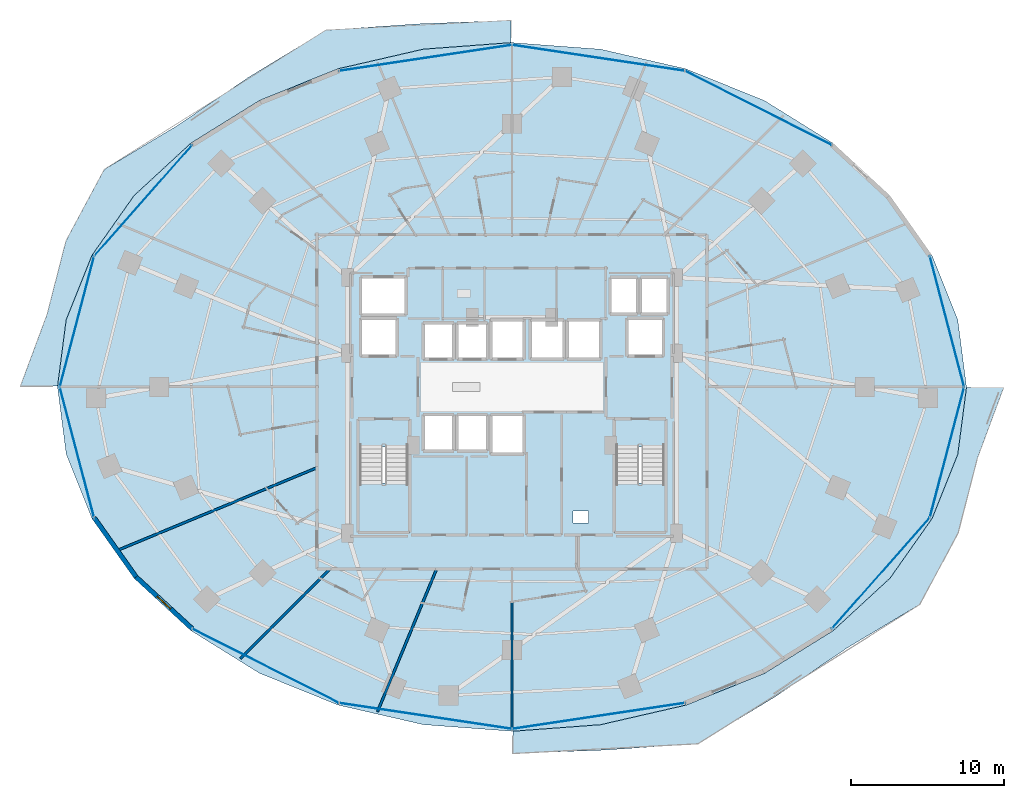
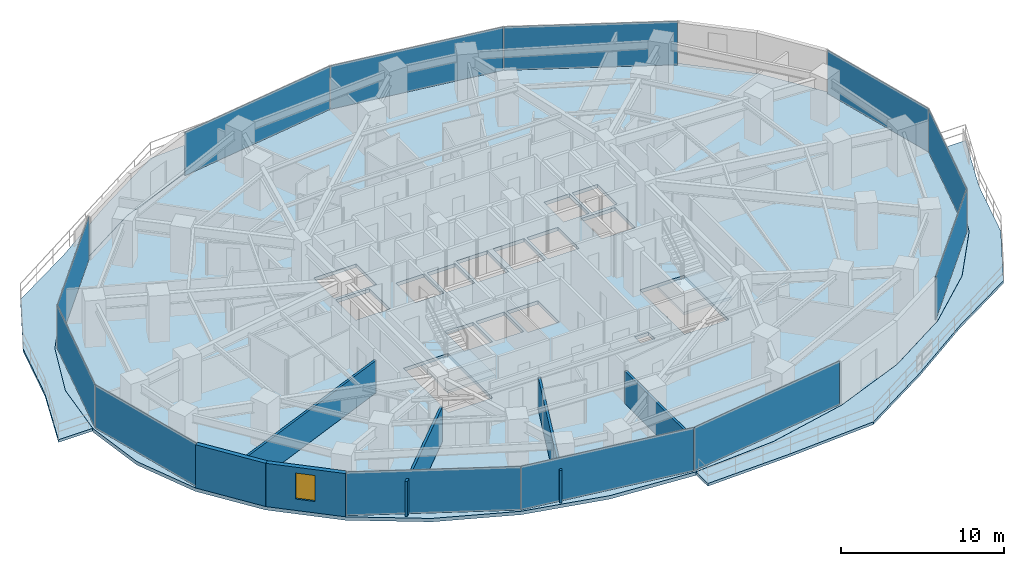
# One storey, part 25 of 34: 12 plates, 6 walls, 5 slabs, 1 window, 1 opening, 6 elements without a shape of their own.
"""IFC4 building model written with IfcOpenShell, lengths in metres."""

from ifc_helpers import new_model, si_unit, direction, frame, frame_2d, origin, origin_2d, place, context, subcontext, project, spatial, polyline, rectangle, outline, extrude, material, layer, layer_set, type_object, element, fill, aggregate, save


model = new_model("IFC4")

# Units and contexts
model_context = context("Model", 3, precision=1e-05, world=origin(), true_north=direction((0.0, 1.0)))
body_context = subcontext(model_context, "Body", "Model", "MODEL_VIEW")
ifc_project = project(units=[si_unit("LENGTHUNIT", "METRE"), si_unit("AREAUNIT", "SQUARE_METRE"), si_unit("VOLUMEUNIT", "CUBIC_METRE"), si_unit("PLANEANGLEUNIT", "RADIAN"), si_unit("MASSUNIT", "GRAM", prefix="KILO")], contexts=[model_context])

# Site, building, storey
site_placement = place(None, origin())
site = spatial("IfcSite", under=ifc_project, at=site_placement, CompositionType="ELEMENT")
building_placement = place(site_placement, origin())
building = spatial("IfcBuilding", under=site, at=building_placement, Name="Vorneva Point Tower", CompositionType="ELEMENT")
storey_placement = place(building_placement, frame((0.0, 0.0, 31.0)))
storey = spatial("IfcBuildingStorey", under=building, at=storey_placement, Name="L07", CompositionType="ELEMENT", Elevation=31.0)

# Curtain wall, plates
ifc_material_1 = material(Name="Pale anodised aluminium", Category="aluminium")
curtain_wall_type = type_object("IfcCurtainWallType", Name="CW-HTL-SYS", PredefinedType="NOTDEFINED", material=ifc_material_1)
curtain_wall_1_placement = place(storey_placement, origin())
curtain_wall_1 = element("IfcCurtainWall", 1, at=curtain_wall_1_placement, inside=storey, type_object=curtain_wall_type, Name="L07 Unitised Curtain Wall CW-L07-R01", PredefinedType="NOTDEFINED")
ifc_material_2 = material(Name="Double low-e laminated glass IGU", Category="glass")
ifc_layer_1 = layer(ifc_material_2, 0.035888671875)
ifc_layer_set_1 = layer_set([ifc_layer_1], Name="Double low-e laminated glass IGU")
plate_type = type_object("IfcPlateType", Name="CW-PNL-VIS", PredefinedType="CURTAIN_PANEL", material=ifc_layer_set_1)
plate_1_placement = place(storey_placement, frame((62.097900390625, 13.821533203125, -0.02001953125), z_axis=(0.0, 0.0, 1.0), x_axis=(0.662070857019, 0.749441245386, 0.0)))
plate_1 = element("IfcPlate", 2, at=plate_1_placement, type_object=plate_type, Name="CW-L07-R01 Glazed Panel 01", PredefinedType="CURTAIN_PANEL", context=body_context, shape_type="SweptSolid", body=[
    extrude(rectangle(XDim=9.625, YDim=0.035888671875, at=origin_2d()), origin(), (0.0, 0.0, 1.0), 3.280029296875),
])
plate_2_placement = place(storey_placement, frame((66.42529296875, 21.723388671875, -0.02001953125), z_axis=(0.0, 0.0, 1.0), x_axis=(0.254348767449, 0.967112560407, 0.0)))
plate_2 = element("IfcPlate", 3, at=plate_2_placement, type_object=plate_type, Name="CW-L07-R01 Glazed Panel 02", PredefinedType="CURTAIN_PANEL", context=body_context, shape_type="SweptSolid", body=[
    extrude(rectangle(XDim=8.793701171875, YDim=0.035888671875, at=origin_2d()), origin(), (0.0, 0.0, 1.0), 3.280029296875),
])
plate_3_placement = place(storey_placement, frame((66.42529296875, 30.276611328125, -0.02001953125), z_axis=(0.0, 0.0, 1.0), x_axis=(-0.254348767449, 0.967112560407, 0.0)))
plate_3 = element("IfcPlate", 4, at=plate_3_placement, type_object=plate_type, Name="CW-L07-R01 Glazed Panel 03", PredefinedType="CURTAIN_PANEL", context=body_context, shape_type="SweptSolid", body=[
    extrude(rectangle(XDim=8.793701171875, YDim=0.035888671875, at=origin_2d()), origin(), (0.0, 0.0, 1.0), 3.280029296875),
])
aggregate(curtain_wall_1, [plate_1, plate_2, plate_3])

curtain_wall_2_placement = place(storey_placement, origin())
curtain_wall_2 = element("IfcCurtainWall", 5, at=curtain_wall_2_placement, inside=storey, type_object=curtain_wall_type, Name="L07 Unitised Curtain Wall CW-L07-R02", PredefinedType="NOTDEFINED")
plate_4_placement = place(storey_placement, frame((54.101806640625, 44.226318359375, -0.02001953125), z_axis=(0.0, 0.0, 1.0), x_axis=(-0.892499239729, 0.451048896554, 0.0)))
plate_4 = element("IfcPlate", 6, at=plate_4_placement, type_object=plate_type, Name="CW-L07-R02 Glazed Panel 01", PredefinedType="CURTAIN_PANEL", context=body_context, shape_type="SweptSolid", body=[
    extrude(rectangle(XDim=10.69140625, YDim=0.035888671875, at=origin_2d()), origin(), (0.0, 0.0, 1.0), 3.280029296875),
])
plate_5_placement = place(storey_placement, frame((43.654296875, 47.499267578125, -0.02001953125), z_axis=(0.0, 0.0, 1.0), x_axis=(-0.988870924381, 0.148775989034, 0.0)))
plate_5 = element("IfcPlate", 7, at=plate_5_placement, type_object=plate_type, Name="CW-L07-R02 Glazed Panel 02", PredefinedType="CURTAIN_PANEL", context=body_context, shape_type="SweptSolid", body=[
    extrude(rectangle(XDim=11.385498046875, YDim=0.035888671875, at=origin_2d()), origin(), (0.0, 0.0, 1.0), 3.280029296875),
])
plate_6_placement = place(storey_placement, frame((32.345703125, 47.499267578125, -0.02001953125), z_axis=(0.0, 0.0, 1.0), x_axis=(-0.988870924381, -0.148775989034, 0.0)))
plate_6 = element("IfcPlate", 8, at=plate_6_placement, type_object=plate_type, Name="CW-L07-R02 Glazed Panel 03", PredefinedType="CURTAIN_PANEL", context=body_context, shape_type="SweptSolid", body=[
    extrude(rectangle(XDim=11.385498046875, YDim=0.035888671875, at=origin_2d()), origin(), (0.0, 0.0, 1.0), 3.280029296875),
])
aggregate(curtain_wall_2, [plate_4, plate_5, plate_6])

curtain_wall_3_placement = place(storey_placement, origin())
curtain_wall_3 = element("IfcCurtainWall", 9, at=curtain_wall_3_placement, inside=storey, type_object=curtain_wall_type, Name="L07 Unitised Curtain Wall CW-L07-R03", PredefinedType="NOTDEFINED")
plate_7_placement = place(storey_placement, frame((13.902099609375, 38.178466796875, -0.02001953125), z_axis=(0.0, 0.0, 1.0), x_axis=(-0.662070857019, -0.749441245386, 0.0)))
plate_7 = element("IfcPlate", 10, at=plate_7_placement, type_object=plate_type, Name="CW-L07-R03 Glazed Panel 01", PredefinedType="CURTAIN_PANEL", context=body_context, shape_type="SweptSolid", body=[
    extrude(rectangle(XDim=9.625, YDim=0.035888671875, at=origin_2d()), origin(), (0.0, 0.0, 1.0), 3.280029296875),
])
plate_8_placement = place(storey_placement, frame((9.57470703125, 30.276611328125, -0.02001953125), z_axis=(0.0, 0.0, 1.0), x_axis=(-0.254348767449, -0.967112560407, 0.0)))
plate_8 = element("IfcPlate", 11, at=plate_8_placement, type_object=plate_type, Name="CW-L07-R03 Glazed Panel 02", PredefinedType="CURTAIN_PANEL", context=body_context, shape_type="SweptSolid", body=[
    extrude(rectangle(XDim=8.793701171875, YDim=0.035888671875, at=origin_2d()), origin(), (0.0, 0.0, 1.0), 3.280029296875),
])
plate_9_placement = place(storey_placement, frame((9.57470703125, 21.723388671875, -0.02001953125), z_axis=(0.0, 0.0, 1.0), x_axis=(0.254348767449, -0.967112560407, 0.0)))
plate_9 = element("IfcPlate", 12, at=plate_9_placement, type_object=plate_type, Name="CW-L07-R03 Glazed Panel 03", PredefinedType="CURTAIN_PANEL", context=body_context, shape_type="SweptSolid", body=[
    extrude(rectangle(XDim=8.793701171875, YDim=0.035888671875, at=origin_2d()), origin(), (0.0, 0.0, 1.0), 3.280029296875),
])
aggregate(curtain_wall_3, [plate_7, plate_8, plate_9])

curtain_wall_4_placement = place(storey_placement, origin())
curtain_wall_4 = element("IfcCurtainWall", 13, at=curtain_wall_4_placement, inside=storey, type_object=curtain_wall_type, Name="L07 Unitised Curtain Wall CW-L07-R04", PredefinedType="NOTDEFINED")
plate_10_placement = place(storey_placement, frame((21.8984375, 7.773681640625, -0.02001953125), z_axis=(0.0, 0.0, 1.0), x_axis=(0.892499239729, -0.451048896554, 0.0)))
plate_10 = element("IfcPlate", 14, at=plate_10_placement, type_object=plate_type, Name="CW-L07-R04 Glazed Panel 01", PredefinedType="CURTAIN_PANEL", context=body_context, shape_type="SweptSolid", body=[
    extrude(rectangle(XDim=10.69140625, YDim=0.035888671875, at=origin_2d()), origin(), (0.0, 0.0, 1.0), 3.280029296875),
])
plate_11_placement = place(storey_placement, frame((32.345703125, 4.500732421875, -0.02001953125), z_axis=(0.0, 0.0, 1.0), x_axis=(0.988870924381, -0.148775989034, 0.0)))
plate_11 = element("IfcPlate", 15, at=plate_11_placement, type_object=plate_type, Name="CW-L07-R04 Glazed Panel 02", PredefinedType="CURTAIN_PANEL", context=body_context, shape_type="SweptSolid", body=[
    extrude(rectangle(XDim=11.385498046875, YDim=0.035888671875, at=origin_2d()), origin(), (0.0, 0.0, 1.0), 3.280029296875),
])
plate_12_placement = place(storey_placement, frame((43.654296875, 4.500732421875, -0.02001953125), z_axis=(0.0, 0.0, 1.0), x_axis=(0.988870924381, 0.148775989034, 0.0)))
plate_12 = element("IfcPlate", 16, at=plate_12_placement, type_object=plate_type, Name="CW-L07-R04 Glazed Panel 03", PredefinedType="CURTAIN_PANEL", context=body_context, shape_type="SweptSolid", body=[
    extrude(rectangle(XDim=11.385498046875, YDim=0.035888671875, at=origin_2d()), origin(), (0.0, 0.0, 1.0), 3.280029296875),
])
aggregate(curtain_wall_4, [plate_10, plate_11, plate_12])

# Slabs
ifc_material_3 = material(Name="Concrete B50 (C40/50)", Category="concrete")
ifc_layer_2 = layer(ifc_material_3, 0.199951171875)
ifc_layer_set_2 = layer_set([ifc_layer_2], Name="Concrete B50 (C40/50)")
slab_type_1 = type_object("IfcSlabType", Name="SLB-BAL-200", PredefinedType="FLOOR", material=ifc_layer_set_2)
slab_1_placement = place(storey_placement, frame((0.0, 0.0, -0.199951171875)))
element("IfcSlab", 17, at=slab_1_placement, inside=storey, type_object=slab_type_1, Name="L07 Cantilevered Wave Balcony NW", PredefinedType="FLOOR", context=body_context, shape_type="SweptSolid", body=[
    extrude(outline(polyline([(5.87353515625, 26.050048828125), (8.302490234375, 26.050048828125), (8.86669921875, 30.389892578125), (8.86669921875, 30.390380859375), (8.866943359375, 30.390625), (8.866943359375, 30.39111328125), (10.55712890625, 34.61181640625), (10.557373046875, 34.6123046875), (10.5576171875, 34.61279296875), (13.302001953125, 38.502685546875), (13.302490234375, 38.5029296875), (13.302734375, 38.503173828125), (16.99609375, 41.912841796875), (16.99658203125, 41.9130859375), (16.996826171875, 41.913330078125), (21.49755859375, 44.71142578125), (21.497802734375, 44.711669921875), (21.498046875, 44.7119140625), (26.6328125, 46.791015625), (26.633056640625, 46.791015625), (26.63330078125, 46.791259765625), (32.204833984375, 48.071533203125), (32.205078125, 48.07177734375), (32.20556640625, 48.07177734375), (37.949951171875, 48.500244140625), (37.949951171875, 49.953125), (31.955078125, 49.73095703125), (25.8408203125, 49.315673828125), (20.739990234375, 46.208984375), (16.120361328125, 43.069580078125), (11.35791015625, 40.218017578125), (8.849853515625, 35.5458984375), (7.610107421875, 30.720458984375), (5.87353515625, 26.050048828125)])), origin(), (0.0, 0.0, 1.0), 0.199951171875),
])
slab_2_placement = place(storey_placement, frame((0.0, 0.0, -0.199951171875)))
element("IfcSlab", 18, at=slab_2_placement, inside=storey, type_object=slab_type_1, Name="L07 Cantilevered Wave Balcony SE", PredefinedType="FLOOR", context=body_context, shape_type="SweptSolid", body=[
    extrude(outline(polyline([(68.389892578125, 21.279541015625), (70.12646484375, 25.949951171875), (67.697509765625, 25.949951171875), (67.13330078125, 21.610107421875), (67.13330078125, 21.609619140625), (67.133056640625, 21.609375), (67.133056640625, 21.60888671875), (65.44287109375, 17.38818359375), (65.442626953125, 17.3876953125), (65.4423828125, 17.38720703125), (62.697998046875, 13.497314453125), (62.697509765625, 13.4970703125), (62.697265625, 13.496826171875), (59.00390625, 10.087158203125), (59.00341796875, 10.0869140625), (59.003173828125, 10.086669921875), (54.50244140625, 7.28857421875), (54.502197265625, 7.288330078125), (54.501953125, 7.2880859375), (49.3671875, 5.208984375), (49.366943359375, 5.208984375), (49.36669921875, 5.208740234375), (43.795166015625, 3.928466796875), (43.794921875, 3.92822265625), (43.79443359375, 3.92822265625), (38.050048828125, 3.499755859375), (38.050048828125, 2.046875), (44.044921875, 2.26904296875), (50.1591796875, 2.684326171875), (55.260009765625, 5.791015625), (59.879638671875, 8.930419921875), (64.64208984375, 11.781982421875), (67.150146484375, 16.4541015625), (68.389892578125, 21.279541015625)])), origin(), (0.0, 0.0, 1.0), 0.199951171875),
])

# Stair, slab
stair_type = type_object("IfcStairType", Name="ST-DOG-1500", PredefinedType="HALF_TURN_STAIR", material=ifc_material_3)
stair_1_placement = place(storey_placement, origin())
stair_1 = element("IfcStair", 19, at=stair_1_placement, inside=storey, type_object=stair_type, Name="L07 ST1", PredefinedType="HALF_TURN_STAIR")
ifc_layer_3 = layer(ifc_material_3, 0.199951171875)
ifc_layer_set_3 = layer_set([ifc_layer_3], Name="Concrete B50 (C40/50)")
slab_type_2 = type_object("IfcSlabType", Name="SLB-LND-200", PredefinedType="LANDING", material=ifc_layer_set_3)
slab_3_placement = place(storey_placement, frame((0.0, 0.0, 1.550048828125)))
slab_3 = element("IfcSlab", 20, at=slab_3_placement, type_object=slab_type_2, Name="ST1 landing 1", PredefinedType="LANDING", context=body_context, shape_type="SweptSolid", body=[
    extrude(outline(polyline([(27.929931640625, 16.47998046875), (31.320068359375, 16.47998046875), (31.320068359375, 19.72998046875), (27.929931640625, 19.72998046875), (27.929931640625, 16.47998046875)])), origin(), (0.0, 0.0, 1.0), 0.199951171875),
])
aggregate(stair_1, [slab_3])

stair_2_placement = place(storey_placement, origin())
stair_2 = element("IfcStair", 21, at=stair_2_placement, inside=storey, type_object=stair_type, Name="L07 ST2", PredefinedType="HALF_TURN_STAIR")
slab_4_placement = place(storey_placement, frame((0.0, 0.0, 1.550048828125)))
slab_4 = element("IfcSlab", 22, at=slab_4_placement, type_object=slab_type_2, Name="ST2 landing 1", PredefinedType="LANDING", context=body_context, shape_type="SweptSolid", body=[
    extrude(outline(polyline([(44.679931640625, 16.47998046875), (48.070068359375, 16.47998046875), (48.070068359375, 19.72998046875), (44.679931640625, 19.72998046875), (44.679931640625, 16.47998046875)])), origin(), (0.0, 0.0, 1.0), 0.199951171875),
])
aggregate(stair_2, [slab_4])

# Slab
ifc_layer_4 = layer(ifc_material_3, 0.260009765625)
ifc_layer_set_4 = layer_set([ifc_layer_4], Name="Concrete B50 (C40/50)")
slab_type_3 = type_object("IfcSlabType", Name="SLB-TYP-260", PredefinedType="FLOOR", material=ifc_layer_set_4)
slab_5_placement = place(storey_placement, frame((0.0, 0.0, -0.260009765625)))
element("IfcSlab", 23, at=slab_5_placement, inside=storey, type_object=slab_type_3, Name="L07 Structural Floor Plate", PredefinedType="FLOOR", context=body_context, shape_type="SweptSolid", body=[
    extrude(outline(polyline([(67.699951171875, 26.0), (67.12939453125, 30.389404296875), (65.439208984375, 34.6103515625), (62.694580078125, 38.500244140625), (59.001220703125, 41.909912109375), (54.50048828125, 44.7080078125), (49.36572265625, 46.787353515625), (43.794189453125, 48.067626953125), (38.0, 48.5), (32.205810546875, 48.067626953125), (26.63427734375, 46.787353515625), (21.49951171875, 44.7080078125), (16.998779296875, 41.909912109375), (13.305419921875, 38.500244140625), (10.560791015625, 34.6103515625), (8.87060546875, 30.389404296875), (8.300048828125, 26.0), (8.87060546875, 21.610595703125), (10.560791015625, 17.3896484375), (13.305419921875, 13.499755859375), (16.998779296875, 10.090087890625), (21.49951171875, 7.2919921875), (26.63427734375, 5.212646484375), (32.205810546875, 3.932373046875), (38.0, 3.5), (43.794189453125, 3.932373046875), (49.36572265625, 5.212646484375), (54.50048828125, 7.2919921875), (59.001220703125, 10.090087890625), (62.694580078125, 13.499755859375), (65.439208984375, 17.3896484375), (67.12939453125, 21.610595703125), (67.699951171875, 26.0)]), holes=[polyline([(32.199951171875, 27.800048828125), (34.199951171875, 27.800048828125), (34.199951171875, 30.199951171875), (32.199951171875, 30.199951171875), (32.199951171875, 27.800048828125)]), polyline([(34.39990234375, 27.800048828125), (36.39990234375, 27.800048828125), (36.39990234375, 30.199951171875), (34.39990234375, 30.199951171875), (34.39990234375, 27.800048828125)]), polyline([(36.60009765625, 27.800048828125), (38.800048828125, 27.800048828125), (38.800048828125, 30.39990234375), (36.60009765625, 30.39990234375), (36.60009765625, 27.800048828125)]), polyline([(32.199951171875, 21.800048828125), (34.199951171875, 21.800048828125), (34.199951171875, 24.199951171875), (32.199951171875, 24.199951171875), (32.199951171875, 21.800048828125)]), polyline([(34.39990234375, 21.800048828125), (36.39990234375, 21.800048828125), (36.39990234375, 24.199951171875), (34.39990234375, 24.199951171875), (34.39990234375, 21.800048828125)]), polyline([(36.60009765625, 21.60009765625), (38.800048828125, 21.60009765625), (38.800048828125, 24.199951171875), (36.60009765625, 24.199951171875), (36.60009765625, 21.60009765625)]), polyline([(39.199951171875, 27.800048828125), (41.39990234375, 27.800048828125), (41.39990234375, 30.39990234375), (39.199951171875, 30.39990234375), (39.199951171875, 27.800048828125)]), polyline([(41.60009765625, 27.800048828125), (43.800048828125, 27.800048828125), (43.800048828125, 30.39990234375), (41.60009765625, 30.39990234375), (41.60009765625, 27.800048828125)]), polyline([(44.39990234375, 30.739990234375), (46.199951171875, 30.739990234375), (46.199951171875, 33.159912109375), (44.39990234375, 33.159912109375), (44.39990234375, 30.739990234375)]), polyline([(46.39990234375, 30.739990234375), (48.199951171875, 30.739990234375), (48.199951171875, 33.159912109375), (46.39990234375, 33.159912109375), (46.39990234375, 30.739990234375)]), polyline([(28.10009765625, 28.0), (30.5, 28.0), (30.5, 30.5), (28.10009765625, 30.5), (28.10009765625, 28.0)]), polyline([(45.5, 28.0), (47.89990234375, 28.0), (47.89990234375, 30.5), (45.5, 30.5), (45.5, 28.0)]), polyline([(28.10009765625, 30.699951171875), (31.10009765625, 30.699951171875), (31.10009765625, 33.199951171875), (28.10009765625, 33.199951171875), (28.10009765625, 30.699951171875)]), polyline([(28.050048828125, 16.60009765625), (31.199951171875, 16.60009765625), (31.199951171875, 22.080078125), (28.050048828125, 22.080078125), (28.050048828125, 16.60009765625)]), polyline([(44.800048828125, 16.60009765625), (47.949951171875, 16.60009765625), (47.949951171875, 22.080078125), (44.800048828125, 22.080078125), (44.800048828125, 16.60009765625)]), polyline([(42.0, 17.10009765625), (43.0, 17.10009765625), (43.0, 17.89990234375), (42.0, 17.89990234375), (42.0, 17.10009765625)])]), origin(), (0.0, 0.0, 1.0), 0.260009765625),
])

# Wall
ifc_material_4 = material(Name="Precast concrete B50 (C40/50)", Category="concrete")
ifc_layer_5 = layer(ifc_material_4, 0.300048828125)
ifc_layer_set_5 = layer_set([ifc_layer_5], Name="Precast concrete B50 (C40/50)")
wall_type_1 = type_object("IfcWallType", Name="WL-EXT-300", PredefinedType="STANDARD", material=ifc_layer_set_5)
wall_1_placement = place(storey_placement, frame((10.699462890625, 17.447021484375, 0.0), z_axis=(0.0, 0.0, 1.0), x_axis=(0.577130815624, -0.816651713803, 0.0)))
element("IfcWall", 24, at=wall_1_placement, inside=storey, type_object=wall_type_1, Name="L07 Pale-Metal Facade Spandrel Wall 10.1", PredefinedType="STANDARD", context=body_context, shape_type="SweptSolid", body=[
    extrude(rectangle(XDim=4.7314453125, YDim=0.300048828125, at=frame_2d((2.36572265625, 0.0))), origin(), (0.0, 0.0, 1.0), 3.239990234375),
])

# Wall, opening, window
wall_2_placement = place(storey_placement, frame((13.43017578125, 13.5830078125, 0.0), z_axis=(0.0, 0.0, 1.0), x_axis=(0.735342629635, -0.677695519419, 0.0)))
wall_2 = element("IfcWall", 25, at=wall_2_placement, inside=storey, type_object=wall_type_1, Name="L07 Pale-Metal Facade Spandrel Wall 10.2", PredefinedType="STANDARD", context=body_context, shape_type="SweptSolid", body=[
    extrude(rectangle(XDim=4.997314453125, YDim=0.300048828125, at=frame_2d((2.49853515625, 0.0))), origin(), (0.0, 0.0, 1.0), 3.239990234375),
])
opening_placement = place(wall_2_placement, frame((1.868896484375, 0.0, 0.85009765625)))
opening = element("IfcOpeningElement", 26, at=opening_placement, cuts=wall_2, Name="Opening W-04", PredefinedType="OPENING", context=body_context, shape_type="SweptSolid", body=[
    extrude(rectangle(XDim=1.199951171875, YDim=1.949951171875, at=frame_2d((0.60009765625, 0.97509765625))), frame((0.0, 0.1650390625, 0.0), z_axis=(0.0, -1.0, 0.0), x_axis=(1.0, 0.0, 0.0)), (0.0, 0.0, 1.0), 0.329833984375),
])
window_type = type_object("IfcWindowType", Name="WN-RES-1200", PartitioningType="SINGLE_PANEL", PredefinedType="WINDOW", material=ifc_material_2)
window_placement = place(opening_placement, origin())
window = element("IfcWindow", 27, at=window_placement, inside=storey, type_object=window_type, Name="L07 Dwelling Vision Window 02", OverallHeight=1.949951171875, OverallWidth=1.199951171875, PartitioningType="SINGLE_PANEL", PredefinedType="WINDOW", context=body_context, shape_type="SweptSolid", body=[
    extrude(rectangle(XDim=1.199951171875, YDim=1.949951171875, at=frame_2d((0.60009765625, 0.97509765625))), frame((0.0, 0.030029296875, 0.0), z_axis=(0.0, -1.0, 0.0), x_axis=(1.0, 0.0, 0.0)), (0.0, 0.0, 1.0), 0.06005859375),
])
fill(opening, window)

# Walls
ifc_material_5 = material(Name="Fire-rated acoustic gypsum stud partition", Category="gypsum")
ifc_layer_6 = layer(ifc_material_5, 0.159912109375)
ifc_layer_set_6 = layer_set([ifc_layer_6], Name="Fire-rated acoustic gypsum stud partition")
wall_type_2 = type_object("IfcWallType", Name="WL-PART-160", PredefinedType="PARTITIONING", material=ifc_layer_set_6)
wall_3_placement = place(storey_placement, frame((12.20703125, 15.31591796875, 0.0), z_axis=(0.0, 0.0, 1.0), x_axis=(0.923866969846, 0.382713759914, 0.0)))
element("IfcWall", 28, at=wall_3_placement, inside=storey, type_object=wall_type_2, Name="L07 Interior Partition 093", PredefinedType="PARTITIONING", context=body_context, shape_type="SweptSolid", body=[
    extrude(rectangle(XDim=14.117919921875, YDim=0.159912109375, at=frame_2d((7.05908203125, 0.0))), origin(), (0.0, 0.0, 1.0), 2.431884765625),
])
wall_4_placement = place(storey_placement, frame((20.2470703125, 8.2470703125, 0.0), z_axis=(0.0, 0.0, 1.0), x_axis=(0.707106781187, 0.707106781187, 0.0)))
element("IfcWall", 29, at=wall_4_placement, inside=storey, type_object=wall_type_2, Name="L07 Interior Partition 096", PredefinedType="PARTITIONING", context=body_context, shape_type="SweptSolid", body=[
    extrude(rectangle(XDim=8.27734375, YDim=0.159912109375, at=frame_2d((4.138671875, 0.0))), origin(), (0.0, 0.0, 1.0), 2.6240234375),
])
wall_5_placement = place(storey_placement, frame((29.2080078125, 4.77490234375, 0.0), z_axis=(0.0, 0.0, 1.0), x_axis=(0.382718503749, 0.923865004689, 0.0)))
element("IfcWall", 30, at=wall_5_placement, inside=storey, type_object=wall_type_2, Name="L07 Interior Partition 099", PredefinedType="PARTITIONING", context=body_context, shape_type="SweptSolid", body=[
    extrude(rectangle(XDim=10.09375, YDim=0.159912109375, at=frame_2d((5.046875, 0.0))), origin(), (0.0, 0.0, 1.0), 2.431884765625),
])
wall_6_placement = place(storey_placement, frame((38.0, 3.64990234375, 0.0), z_axis=(0.0, 0.0, 1.0), x_axis=(0.0, 1.0, 0.0)))
element("IfcWall", 31, at=wall_6_placement, inside=storey, type_object=wall_type_2, Name="L07 Interior Partition 102", PredefinedType="PARTITIONING", context=body_context, shape_type="SweptSolid", body=[
    extrude(rectangle(XDim=8.375, YDim=0.159912109375, at=frame_2d((4.1875, 0.0))), origin(), (0.0, 0.0, 1.0), 2.431884765625),
])

save(model, "model.ifc")
